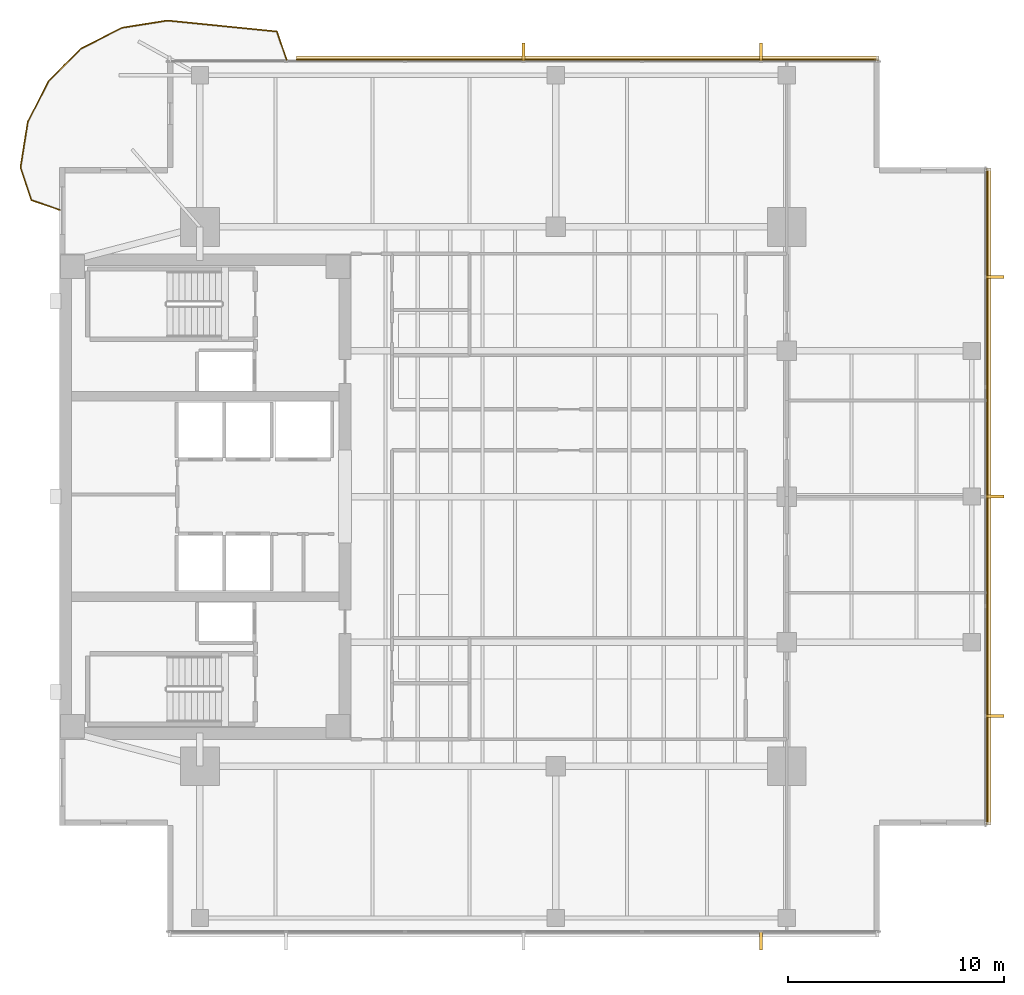
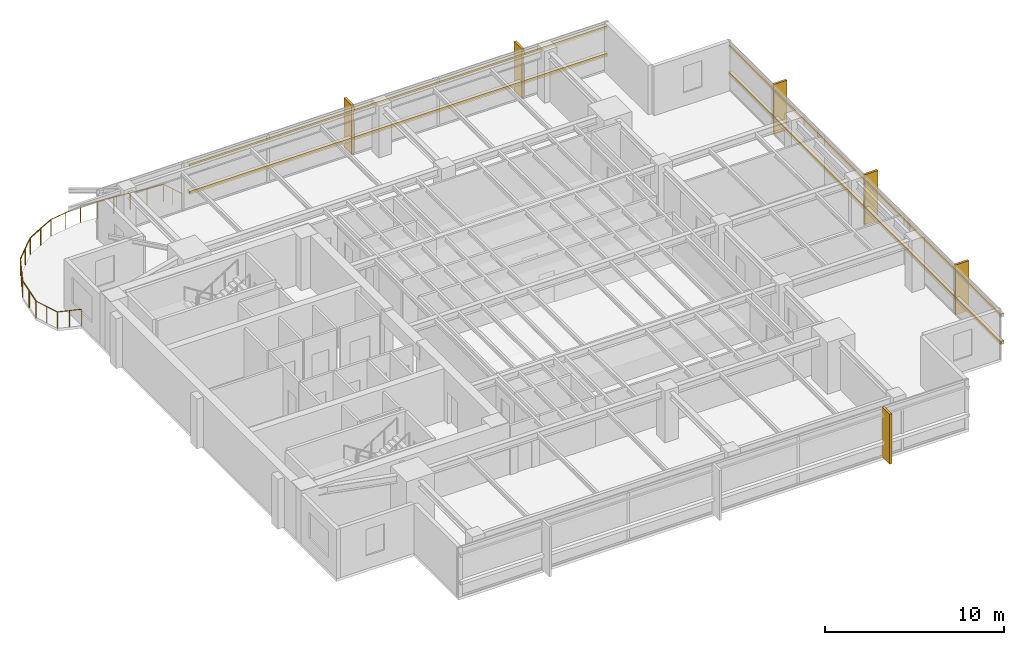
# One storey, part 14 of 14: 10 coverings, 9 railings, 4 shading devices.
"""IFC4 building model written with IfcOpenShell, lengths in metres."""

from ifc_helpers import new_model, si_unit, direction, frame, origin, origin_2d, place, context, subcontext, project, spatial, polyline, rectangle, circle, outline, extrude, material, layer, layer_set, material_profile, profile_set, type_object, element, save


model = new_model("IFC4")

# Units and contexts
model_context = context("Model", 3, precision=1e-05, world=origin(), true_north=direction((0.0, 1.0)))
body_context = subcontext(model_context, "Body", "Model", "MODEL_VIEW")
ifc_project = project(units=[si_unit("LENGTHUNIT", "METRE"), si_unit("AREAUNIT", "SQUARE_METRE"), si_unit("VOLUMEUNIT", "CUBIC_METRE"), si_unit("PLANEANGLEUNIT", "RADIAN"), si_unit("MASSUNIT", "GRAM", prefix="KILO")], contexts=[model_context])

# Site, building, storey
site_placement = place(None, origin())
site = spatial("IfcSite", under=ifc_project, at=site_placement, CompositionType="ELEMENT")
building_placement = place(site_placement, origin())
building = spatial("IfcBuilding", under=site, at=building_placement, Name="Kinhvarn Gate Tower", CompositionType="ELEMENT")
storey_placement = place(building_placement, frame((0.0, 0.0, 205.800048828125)))
storey = spatial("IfcBuildingStorey", under=building, at=storey_placement, Name="L54", CompositionType="ELEMENT", Elevation=205.800048828125)

# Coverings
ifc_material_1 = material(Name="Fired architectural terracotta", Category="masonry")
ifc_layer_1 = layer(ifc_material_1, 0.239990234375)
ifc_layer_set_1 = layer_set([ifc_layer_1], Name="Fired architectural terracotta")
covering_type_1 = type_object("IfcCoveringType", Name="COV-BAG-220", PredefinedType="CLADDING", material=ifc_layer_set_1)
for number, where, name in (
    (1, (0.0, 0.0, 0.93994140625), "Terracotta Horizontal Sunscreen Band TBG-220 (L54)"),
    (2, (0.0, 0.0, 2.81005859375), "Terracotta Horizontal Sunscreen Band TBG-220 (L54)"),
):
    element("IfcCovering", number, at=place(storey_placement, frame(where)), inside=storey, type_object=covering_type_1, Name=name, PredefinedType="CLADDING", context=body_context, shape_type="SweptSolid", body=[
        extrude(outline(polyline([(42.4599609375, 45.429931640625), (15.468017578125, 45.429931640625), (15.468017578125, 45.669921875), (42.4599609375, 45.669921875), (42.4599609375, 45.429931640625)])), origin(), (0.0, 0.0, 1.0), 0.219970703125),
    ])
for number, where, name in (
    (3, (0.0, 0.0, 0.93994140625), "Terracotta Horizontal Sunscreen Band TBG-220 (L54)"),
    (4, (0.0, 0.0, 2.81005859375), "Terracotta Horizontal Sunscreen Band TBG-220 (L54)"),
):
    element("IfcCovering", number, at=place(storey_placement, frame(where)), inside=storey, type_object=covering_type_1, Name=name, PredefinedType="CLADDING", context=body_context, shape_type="SweptSolid", body=[
        extrude(outline(polyline([(47.429931640625, 10.0400390625), (47.429931640625, 40.4599609375), (47.669921875, 40.4599609375), (47.669921875, 10.0400390625), (47.429931640625, 10.0400390625)])), origin(), (0.0, 0.0, 1.0), 0.219970703125),
    ])
ifc_layer_2 = layer(ifc_material_1, 0.139892578125)
ifc_layer_set_2 = layer_set([ifc_layer_2], Name="Fired architectural terracotta")
covering_type_2 = type_object("IfcCoveringType", Name="COV-FIN-850", PredefinedType="CLADDING", material=ifc_layer_set_2)
covering_1_placement = place(storey_placement, frame((0.0, 0.0, -0.02001953125)))
element("IfcCovering", 5, at=covering_1_placement, inside=storey, type_object=covering_type_2, Name="Vertical Terracotta Expressive Fin TFN-850 (L54)", PredefinedType="CLADDING", context=body_context, shape_type="SweptSolid", body=[
    extrude(outline(polyline([(36.929931640625, 5.080078125), (37.070068359375, 5.080078125), (37.070068359375, 4.22998046875), (36.929931640625, 4.22998046875), (36.929931640625, 5.080078125)])), origin(), (0.0, 0.0, 1.0), 3.409912109375),
])
covering_2_placement = place(storey_placement, frame((0.0, 0.0, -0.02001953125)))
element("IfcCovering", 6, at=covering_2_placement, inside=storey, type_object=covering_type_2, Name="Vertical Terracotta Expressive Fin TFN-850 (L54)", PredefinedType="CLADDING", context=body_context, shape_type="SweptSolid", body=[
    extrude(outline(polyline([(37.070068359375, 45.419921875), (36.929931640625, 45.419921875), (36.929931640625, 46.27001953125), (37.070068359375, 46.27001953125), (37.070068359375, 45.419921875)])), origin(), (0.0, 0.0, 1.0), 3.409912109375),
])
covering_3_placement = place(storey_placement, frame((0.0, 0.0, -0.02001953125)))
element("IfcCovering", 7, at=covering_3_placement, inside=storey, type_object=covering_type_2, Name="Vertical Terracotta Expressive Fin TFN-850 (L54)", PredefinedType="CLADDING", context=body_context, shape_type="SweptSolid", body=[
    extrude(outline(polyline([(26.070068359375, 45.419921875), (25.929931640625, 45.419921875), (25.929931640625, 46.27001953125), (26.070068359375, 46.27001953125), (26.070068359375, 45.419921875)])), origin(), (0.0, 0.0, 1.0), 3.409912109375),
])
covering_4_placement = place(storey_placement, frame((0.0, 0.0, -0.02001953125)))
element("IfcCovering", 8, at=covering_4_placement, inside=storey, type_object=covering_type_2, Name="Vertical Terracotta Expressive Fin TFN-850 (L54)", PredefinedType="CLADDING", context=body_context, shape_type="SweptSolid", body=[
    extrude(outline(polyline([(47.419921875, 15.01318359375), (47.419921875, 15.1533203125), (48.27001953125, 15.1533203125), (48.27001953125, 15.01318359375), (47.419921875, 15.01318359375)])), origin(), (0.0, 0.0, 1.0), 3.409912109375),
])
covering_5_placement = place(storey_placement, frame((0.0, 0.0, -0.02001953125)))
element("IfcCovering", 9, at=covering_5_placement, inside=storey, type_object=covering_type_2, Name="Vertical Terracotta Expressive Fin TFN-850 (L54)", PredefinedType="CLADDING", context=body_context, shape_type="SweptSolid", body=[
    extrude(outline(polyline([(47.419921875, 25.179931640625), (47.419921875, 25.320068359375), (48.27001953125, 25.320068359375), (48.27001953125, 25.179931640625), (47.419921875, 25.179931640625)])), origin(), (0.0, 0.0, 1.0), 3.409912109375),
])
covering_6_placement = place(storey_placement, frame((0.0, 0.0, -0.02001953125)))
element("IfcCovering", 10, at=covering_6_placement, inside=storey, type_object=covering_type_2, Name="Vertical Terracotta Expressive Fin TFN-850 (L54)", PredefinedType="CLADDING", context=body_context, shape_type="SweptSolid", body=[
    extrude(outline(polyline([(47.419921875, 35.3466796875), (47.419921875, 35.48681640625), (48.27001953125, 35.48681640625), (48.27001953125, 35.3466796875), (47.419921875, 35.3466796875)])), origin(), (0.0, 0.0, 1.0), 3.409912109375),
])

# Railings
ifc_material_2 = material(Name="Clear low-e double glazing", Category="glass")
railing_type = type_object("IfcRailingType", Name="RL-BAL-1150", PredefinedType="BALUSTRADE", material=ifc_material_2)
railing_1_placement = place(storey_placement, frame((15.01806640625, 45.5, 0.0)))
element("IfcRailing", 11, at=railing_1_placement, inside=storey, type_object=railing_type, Name="S-Carve Balcony Guardrail Seg 1 (L54)", PredefinedType="BALUSTRADE", context=body_context, shape_type="SweptSolid", body=[
    extrude(circle(Radius=0.02392578125, at=origin_2d()), frame((0.0, 0.0, 1.1259765625), z_axis=(-0.325702012946, 0.945472473826, 0.0), x_axis=(-0.945472473826, -0.325702012946, 0.0)), (0.0, 0.0, 1.0), 1.381591796875),
    extrude(circle(Radius=0.02099609375, at=origin_2d()), origin(), (0.0, 0.0, 1.0), 1.101806640625),
    extrude(circle(Radius=0.02099609375, at=origin_2d()), frame((-0.22509765625, 0.653076171875, 0.0)), (0.0, 0.0, 1.0), 1.101806640625),
    extrude(circle(Radius=0.02099609375, at=origin_2d()), frame((-0.449951171875, 1.30615234375, 0.0)), (0.0, 0.0, 1.0), 1.101806640625),
])
railing_2_placement = place(storey_placement, frame((14.568115234375, 46.80615234375, 0.0)))
element("IfcRailing", 12, at=railing_2_placement, inside=storey, type_object=railing_type, Name="S-Carve Balcony Guardrail Seg 2 (L54)", PredefinedType="BALUSTRADE", context=body_context, shape_type="SweptSolid", body=[
    extrude(circle(Radius=0.02392578125, at=origin_2d()), frame((0.0, 0.0, 1.1259765625), z_axis=(-0.995017713694, 0.099698292041, 0.0), x_axis=(-0.099698292041, -0.995017713694, 0.0)), (0.0, 0.0, 1.0), 5.093505859375),
    extrude(circle(Radius=0.02099609375, at=origin_2d()), origin(), (0.0, 0.0, 1.0), 1.101806640625),
    extrude(circle(Radius=0.02099609375, at=origin_2d()), frame((-1.013671875, 0.1015625, 0.0)), (0.0, 0.0, 1.0), 1.101806640625),
    extrude(circle(Radius=0.02099609375, at=origin_2d()), frame((-2.02734375, 0.203125, 0.0)), (0.0, 0.0, 1.0), 1.101806640625),
    extrude(circle(Radius=0.02099609375, at=origin_2d()), frame((-3.040771484375, 0.3046875, 0.0)), (0.0, 0.0, 1.0), 1.101806640625),
    extrude(circle(Radius=0.02099609375, at=origin_2d()), frame((-4.054443359375, 0.40625, 0.0)), (0.0, 0.0, 1.0), 1.101806640625),
    extrude(circle(Radius=0.02099609375, at=origin_2d()), frame((-5.068115234375, 0.5078125, 0.0)), (0.0, 0.0, 1.0), 1.101806640625),
])
railing_3_placement = place(storey_placement, frame((9.5, 47.31396484375, 0.0)))
element("IfcRailing", 13, at=railing_3_placement, inside=storey, type_object=railing_type, Name="S-Carve Balcony Guardrail Seg 3 (L54)", PredefinedType="BALUSTRADE", context=body_context, shape_type="SweptSolid", body=[
    extrude(circle(Radius=0.02392578125, at=origin_2d()), frame((0.0, 0.0, 1.1259765625), z_axis=(-0.987689504761, -0.156427114609, 0.0), x_axis=(0.156427114609, -0.987689504761, 0.0)), (0.0, 0.0, 1.0), 2.132080078125),
    extrude(circle(Radius=0.02099609375, at=origin_2d()), origin(), (0.0, 0.0, 1.0), 1.101806640625),
    extrude(circle(Radius=0.02099609375, at=origin_2d()), frame((-1.052734375, -0.166748046875, 0.0)), (0.0, 0.0, 1.0), 1.101806640625),
    extrude(circle(Radius=0.02099609375, at=origin_2d()), frame((-2.105712890625, -0.33349609375, 0.0)), (0.0, 0.0, 1.0), 1.101806640625),
])
railing_4_placement = place(storey_placement, frame((7.394287109375, 46.98046875, 0.0)))
element("IfcRailing", 14, at=railing_4_placement, inside=storey, type_object=railing_type, Name="S-Carve Balcony Guardrail Seg 4 (L54)", PredefinedType="BALUSTRADE", context=body_context, shape_type="SweptSolid", body=[
    extrude(circle(Radius=0.02392578125, at=origin_2d()), frame((0.0, 0.0, 1.1259765625), z_axis=(-0.891011527282, -0.453980680482, 0.0), x_axis=(0.453980680482, -0.891011527282, 0.0)), (0.0, 0.0, 1.0), 2.1318359375),
    extrude(circle(Radius=0.02099609375, at=origin_2d()), origin(), (0.0, 0.0, 1.0), 1.101806640625),
    extrude(circle(Radius=0.02099609375, at=origin_2d()), frame((-0.94970703125, -0.48388671875, 0.0)), (0.0, 0.0, 1.0), 1.101806640625),
    extrude(circle(Radius=0.02099609375, at=origin_2d()), frame((-1.8994140625, -0.9677734375, 0.0)), (0.0, 0.0, 1.0), 1.101806640625),
])
railing_5_placement = place(storey_placement, frame((5.494873046875, 46.0126953125, 0.0)))
element("IfcRailing", 15, at=railing_5_placement, inside=storey, type_object=railing_type, Name="S-Carve Balcony Guardrail Seg 5 (L54)", PredefinedType="BALUSTRADE", context=body_context, shape_type="SweptSolid", body=[
    extrude(circle(Radius=0.02392578125, at=origin_2d()), frame((0.0, 0.0, 1.1259765625), z_axis=(-0.707106781187, -0.707106781187, 0.0), x_axis=(0.707106781187, -0.707106781187, 0.0)), (0.0, 0.0, 1.0), 2.132080078125),
    extrude(circle(Radius=0.02099609375, at=origin_2d()), origin(), (0.0, 0.0, 1.0), 1.101806640625),
    extrude(circle(Radius=0.02099609375, at=origin_2d()), frame((-0.75390625, -0.75390625, 0.0)), (0.0, 0.0, 1.0), 1.101806640625),
    extrude(circle(Radius=0.02099609375, at=origin_2d()), frame((-1.507568359375, -1.507568359375, 0.0)), (0.0, 0.0, 1.0), 1.101806640625),
])
railing_6_placement = place(storey_placement, frame((3.9873046875, 44.505126953125, 0.0)))
element("IfcRailing", 16, at=railing_6_placement, inside=storey, type_object=railing_type, Name="S-Carve Balcony Guardrail Seg 6 (L54)", PredefinedType="BALUSTRADE", context=body_context, shape_type="SweptSolid", body=[
    extrude(circle(Radius=0.02392578125, at=origin_2d()), frame((0.0, 0.0, 1.1259765625), z_axis=(-0.453980680482, -0.891011527282, 0.0), x_axis=(0.891011527282, -0.453980680482, 0.0)), (0.0, 0.0, 1.0), 2.1318359375),
    extrude(circle(Radius=0.02099609375, at=origin_2d()), origin(), (0.0, 0.0, 1.0), 1.101806640625),
    extrude(circle(Radius=0.02099609375, at=origin_2d()), frame((-0.48388671875, -0.94970703125, 0.0)), (0.0, 0.0, 1.0), 1.101806640625),
    extrude(circle(Radius=0.02099609375, at=origin_2d()), frame((-0.9677734375, -1.8994140625, 0.0)), (0.0, 0.0, 1.0), 1.101806640625),
])
railing_7_placement = place(storey_placement, frame((3.01953125, 42.605712890625, 0.0)))
element("IfcRailing", 17, at=railing_7_placement, inside=storey, type_object=railing_type, Name="S-Carve Balcony Guardrail Seg 7 (L54)", PredefinedType="BALUSTRADE", context=body_context, shape_type="SweptSolid", body=[
    extrude(circle(Radius=0.02392578125, at=origin_2d()), frame((0.0, 0.0, 1.1259765625), z_axis=(-0.156427114609, -0.987689504761, 0.0), x_axis=(0.987689504761, -0.156427114609, 0.0)), (0.0, 0.0, 1.0), 2.132080078125),
    extrude(circle(Radius=0.02099609375, at=origin_2d()), origin(), (0.0, 0.0, 1.0), 1.101806640625),
    extrude(circle(Radius=0.02099609375, at=origin_2d()), frame((-0.166748046875, -1.052734375, 0.0)), (0.0, 0.0, 1.0), 1.101806640625),
    extrude(circle(Radius=0.02099609375, at=origin_2d()), frame((-0.33349609375, -2.105712890625, 0.0)), (0.0, 0.0, 1.0), 1.101806640625),
])
railing_8_placement = place(storey_placement, frame((2.68603515625, 40.5, 0.0)))
element("IfcRailing", 18, at=railing_8_placement, inside=storey, type_object=railing_type, Name="S-Carve Balcony Guardrail Seg 8 (L54)", PredefinedType="BALUSTRADE", context=body_context, shape_type="SweptSolid", body=[
    extrude(circle(Radius=0.02392578125, at=origin_2d()), frame((0.0, 0.0, 1.1259765625), z_axis=(0.318200537072, -0.948023427035, 0.0), x_axis=(0.948023427035, 0.318200537072, 0.0)), (0.0, 0.0, 1.0), 1.595947265625),
    extrude(circle(Radius=0.02099609375, at=origin_2d()), origin(), (0.0, 0.0, 1.0), 1.101806640625),
    extrude(circle(Radius=0.02099609375, at=origin_2d()), frame((0.25390625, -0.75634765625, 0.0)), (0.0, 0.0, 1.0), 1.101806640625),
    extrude(circle(Radius=0.02099609375, at=origin_2d()), frame((0.5078125, -1.512939453125, 0.0)), (0.0, 0.0, 1.0), 1.101806640625),
])
railing_9_placement = place(storey_placement, frame((3.19384765625, 38.987060546875, 0.0)))
element("IfcRailing", 19, at=railing_9_placement, inside=storey, type_object=railing_type, Name="S-Carve Balcony Guardrail Seg 9 (L54)", PredefinedType="BALUSTRADE", context=body_context, shape_type="SweptSolid", body=[
    extrude(circle(Radius=0.02392578125, at=origin_2d()), frame((0.0, 0.0, 1.1259765625), z_axis=(0.945472473826, -0.325702012946, 0.0), x_axis=(0.325702012946, 0.945472473826, 0.0)), (0.0, 0.0, 1.0), 1.381591796875),
    extrude(circle(Radius=0.02099609375, at=origin_2d()), origin(), (0.0, 0.0, 1.0), 1.101806640625),
    extrude(circle(Radius=0.02099609375, at=origin_2d()), frame((0.653076171875, -0.22509765625, 0.0)), (0.0, 0.0, 1.0), 1.101806640625),
    extrude(circle(Radius=0.02099609375, at=origin_2d()), frame((1.30615234375, -0.449951171875, 0.0)), (0.0, 0.0, 1.0), 1.101806640625),
])

# Shading devices
ifc_material_profile = material_profile(ifc_material_1, rectangle(XDim=0.050048828125, YDim=0.1201171875, at=origin_2d()), Name="TC 50x120")
ifc_profile_set = profile_set([ifc_material_profile], Name="Fired architectural terracotta")
shading_device_type = type_object("IfcShadingDeviceType", Name="SHD-BAG-140", PredefinedType="USERDEFINED", material=ifc_profile_set)
for number, where, z_axis, x_axis, name in (
    (20, (42.4599609375, 45.5, 1.050048828125), (-1.0, 0.0, 0.0), (0.0, -1.0, 0.0), "Upper Tower Terracotta Baguette Screen Rod 50x120 mm (L54)"),
    (21, (42.4599609375, 45.5, 2.919921875), (-1.0, 0.0, 0.0), (0.0, -1.0, 0.0), "Upper Tower Terracotta Baguette Screen Rod 50x120 mm (L54)"),
):
    element("IfcShadingDevice", number, at=place(storey_placement, frame(where, z_axis=z_axis, x_axis=x_axis)), inside=storey, type_object=shading_device_type, Name=name, ObjectType="BAGUETTE", PredefinedType="USERDEFINED", context=body_context, shape_type="SweptSolid", body=[
        extrude(rectangle(XDim=0.050048828125, YDim=0.1201171875, at=origin_2d()), origin(), (0.0, 0.0, 1.0), 26.991943359375),
    ])
for number, where, z_axis, x_axis, name in (
    (22, (47.5, 10.0400390625, 1.050048828125), (0.0, 1.0, 0.0), (-1.0, 0.0, 0.0), "Upper Tower Terracotta Baguette Screen Rod 50x120 mm (L54)"),
    (23, (47.5, 10.0400390625, 2.919921875), (0.0, 1.0, 0.0), (-1.0, 0.0, 0.0), "Upper Tower Terracotta Baguette Screen Rod 50x120 mm (L54)"),
):
    element("IfcShadingDevice", number, at=place(storey_placement, frame(where, z_axis=z_axis, x_axis=x_axis)), inside=storey, type_object=shading_device_type, Name=name, ObjectType="BAGUETTE", PredefinedType="USERDEFINED", context=body_context, shape_type="SweptSolid", body=[
        extrude(rectangle(XDim=0.050048828125, YDim=0.1201171875, at=origin_2d()), origin(), (0.0, 0.0, 1.0), 30.419921875),
    ])

save(model, "model.ifc")
